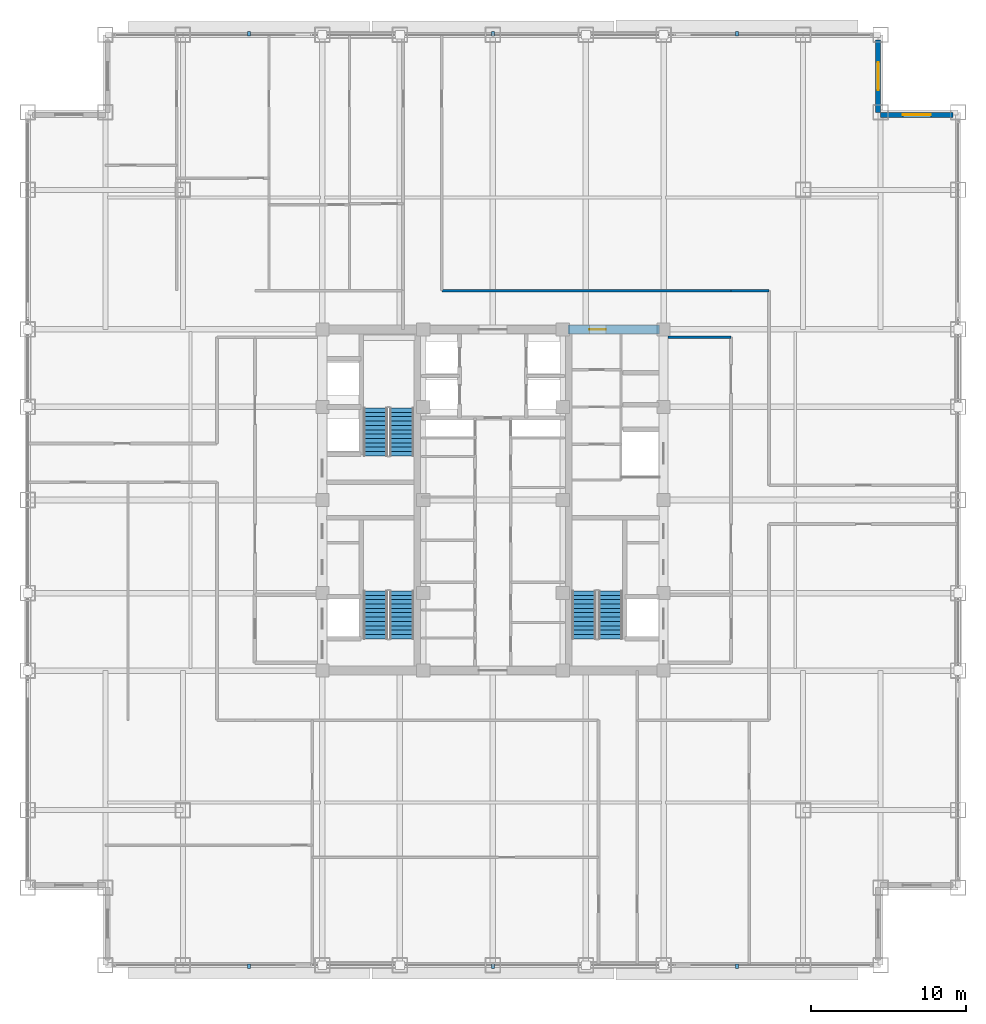
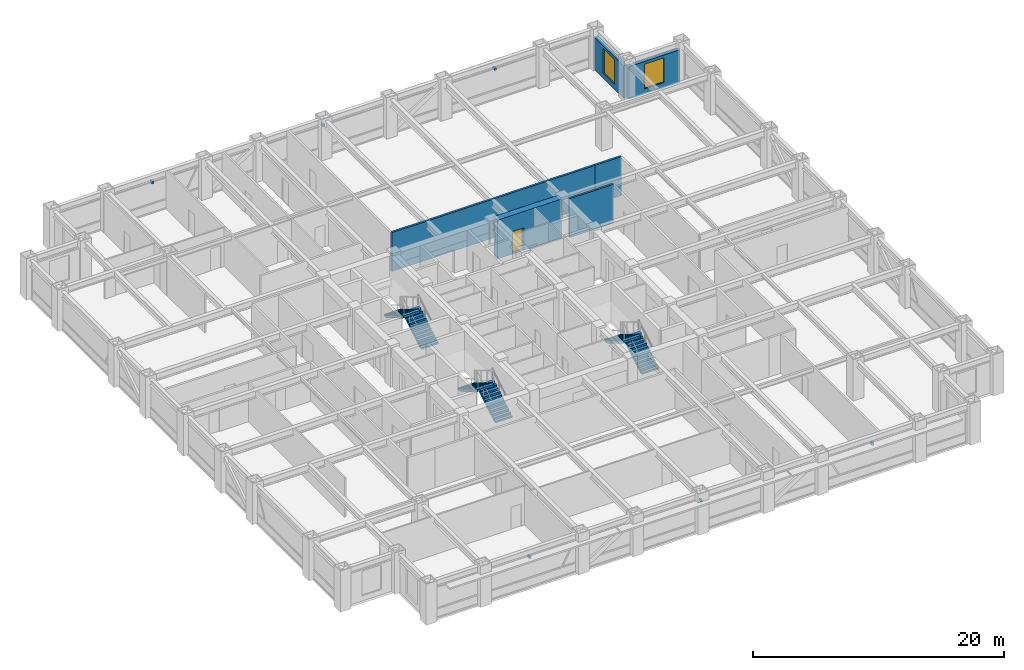
# One storey, part 24 of 29: 6 discrete accessories, 6 stair flights, 6 walls, 2 windows, 1 door, 3 openings, 3 elements without a shape of their own.
"""IFC4 building model written with IfcOpenShell, lengths in metres."""

from ifc_helpers import new_model, si_unit, direction, frame, frame_2d, origin, origin_2d, place, context, subcontext, project, spatial, polyline, rectangle, outline, extrude, source, transform, mapped, material, layer, layer_set, type_object, element, fill, aggregate, save


model = new_model("IFC4")

# Units and contexts
model_context = context("Model", 3, precision=1e-05, world=origin(), true_north=direction((0.0, 1.0)))
body_context = subcontext(model_context, "Body", "Model", "MODEL_VIEW")
ifc_project = project(units=[si_unit("LENGTHUNIT", "METRE"), si_unit("AREAUNIT", "SQUARE_METRE"), si_unit("VOLUMEUNIT", "CUBIC_METRE"), si_unit("PLANEANGLEUNIT", "RADIAN"), si_unit("MASSUNIT", "GRAM", prefix="KILO")], contexts=[model_context])

# Site, building, storey
site_placement = place(None, origin())
site = spatial("IfcSite", under=ifc_project, at=site_placement, CompositionType="ELEMENT")
building_placement = place(site_placement, origin())
building = spatial("IfcBuilding", under=site, at=building_placement, Name="Khorayat Bourse Tower", CompositionType="ELEMENT")
storey_placement = place(building_placement, frame((0.0, 0.0, 239.10009765625)))
storey = spatial("IfcBuildingStorey", under=building, at=storey_placement, Name="L56", CompositionType="ELEMENT", Elevation=239.10009765625)

# Wall, opening, door
ifc_material_1 = material(Name="Concrete C60/75", Category="concrete")
ifc_layer_1 = layer(ifc_material_1, 0.60009765625)
ifc_layer_set_1 = layer_set([ifc_layer_1], Name="Concrete C60/75")
wall_type_1 = type_object("IfcWallType", Name="WAL-CORE-600", PredefinedType="SHEAR", material=ifc_layer_set_1)
shared_shape_1 = source(origin(), body_context, "Body", "SweptSolid", [
    extrude(rectangle(XDim=5.89990234375, YDim=0.60009765625, at=frame_2d((2.949951171875, 0.0))), origin(), (0.0, 0.0, 1.0), 3.77978515625),
])
wall_1_placement = place(storey_placement, frame((4.85009765625, 11.0, 0.0), z_axis=(0.0, 0.0, 1.0), x_axis=(1.0, 0.0, 0.0)))
wall_1 = element("IfcWall", 1, at=wall_1_placement, inside=storey, type_object=wall_type_1, Name="L56 Core Shear Wall PIER-EN", PredefinedType="SHEAR", context=body_context, shape_type="MappedRepresentation", body=[
    mapped(shared_shape_1, transform((0.0, 0.0, 0.0), scale=1.0)),
])
shared_shape_2 = source(origin(), body_context, "Body", "SweptSolid", [
    extrude(rectangle(XDim=1.050048828125, YDim=2.199951171875, at=frame_2d((0.52490234375, 1.10009765625))), frame((0.0, 0.31005859375, 0.0), z_axis=(0.0, -1.0, 0.0), x_axis=(1.0, 0.0, 0.0)), (0.0, 0.0, 1.0), 0.6201171875),
])
opening_1_placement = place(wall_1_placement, frame((1.375, 0.0, 0.0)))
opening_1 = element("IfcOpeningElement", 2, at=opening_1_placement, cuts=wall_1, Name="Opening DI-04", PredefinedType="OPENING", context=body_context, shape_type="MappedRepresentation", body=[
    mapped(shared_shape_2, transform((0.0, 0.0, 0.0), scale=1.0)),
])
ifc_material_2 = material(Name="Fire-rated oak veneer suite entrance door")
door_type = type_object("IfcDoorType", Name="DR-INT-SUITE-1050", OperationType="NOTDEFINED", PredefinedType="DOOR", material=ifc_material_2)
shared_shape_3 = source(origin(), body_context, "Body", "SweptSolid", [
    extrude(rectangle(XDim=1.050048828125, YDim=2.199951171875, at=frame_2d((0.52490234375, 1.10009765625))), frame((0.0, 0.02490234375, 0.0), z_axis=(0.0, -1.0, 0.0), x_axis=(1.0, 0.0, 0.0)), (0.0, 0.0, 1.0), 0.050048828125),
])
door_placement = place(opening_1_placement, origin())
door = element("IfcDoor", 3, at=door_placement, inside=storey, type_object=door_type, Name="L56 Core Washroom Lobby Door", OperationType="SINGLE_SWING_LEFT", OverallHeight=2.199951171875, OverallWidth=1.050048828125, PredefinedType="DOOR", context=body_context, shape_type="MappedRepresentation", body=[
    mapped(shared_shape_3, transform((0.0, 0.0, 0.0), scale=1.0)),
])
fill(opening_1, door)

# Wall, opening, window
ifc_material_3 = material(Name="Precast concrete C45/55", Category="concrete")
ifc_layer_2 = layer(ifc_material_3, 0.320068359375)
ifc_layer_set_2 = layer_set([ifc_layer_2], Name="Precast concrete C45/55")
wall_type_2 = type_object("IfcWallType", Name="WAL-EXT-STONE-320", PredefinedType="STANDARD", material=ifc_layer_set_2)
shared_shape_4 = source(origin(), body_context, "Body", "SweptSolid", [
    extrude(rectangle(XDim=4.679931640625, YDim=0.320068359375, at=frame_2d((2.33984375, 0.0))), origin(), (0.0, 0.0, 1.0), 3.163818359375),
])
wall_2_placement = place(storey_placement, frame((25.0, 24.840087890625, 0.0), z_axis=(0.0, 0.0, 1.0), x_axis=(1.0, 0.0, 0.0)))
wall_2 = element("IfcWall", 4, at=wall_2_placement, inside=storey, type_object=wall_type_2, Name="L56 Re-Entrant Notch Limestone Wall NE-H", PredefinedType="STANDARD", context=body_context, shape_type="MappedRepresentation", body=[
    mapped(shared_shape_4, transform((0.0, 0.0, 0.0), scale=1.0)),
])
shared_shape_5 = source(origin(), body_context, "Body", "SweptSolid", [
    extrude(rectangle(XDim=1.800048828125, YDim=2.39990234375, at=frame_2d((0.89990234375, 1.199951171875))), frame((0.0, 0.169921875, 0.0), z_axis=(0.0, -1.0, 0.0), x_axis=(1.0, 0.0, 0.0)), (0.0, 0.0, 1.0), 0.340087890625),
])
opening_2_placement = place(wall_2_placement, frame((1.43994140625, 0.0, 0.5)))
opening_2 = element("IfcOpeningElement", 5, at=opening_2_placement, cuts=wall_2, Name="Opening WN-04", PredefinedType="OPENING", context=body_context, shape_type="MappedRepresentation", body=[
    mapped(shared_shape_5, transform((0.0, 0.0, 0.0), scale=1.0)),
])
ifc_material_4 = material(Name="Low-E acoustic laminated double glazing", Category="glass")
window_type = type_object("IfcWindowType", Name="WIN-NOTCH-1800x2400", PartitioningType="SINGLE_PANEL", PredefinedType="WINDOW", material=ifc_material_4)
shared_shape_6 = source(origin(), body_context, "Body", "SweptSolid", [
    extrude(rectangle(XDim=1.800048828125, YDim=2.39990234375, at=frame_2d((0.89990234375, 1.199951171875))), frame((0.0, 0.030029296875, 0.0), z_axis=(0.0, -1.0, 0.0), x_axis=(1.0, 0.0, 0.0)), (0.0, 0.0, 1.0), 0.06005859375),
])
window_1_placement = place(opening_2_placement, origin())
window_1 = element("IfcWindow", 6, at=window_1_placement, inside=storey, type_object=window_type, Name="L56 Facade Window 1", OverallHeight=2.39990234375, OverallWidth=1.800048828125, PartitioningType="SINGLE_PANEL", PredefinedType="WINDOW", context=body_context, shape_type="MappedRepresentation", body=[
    mapped(shared_shape_6, transform((0.0, 0.0, 0.0), scale=1.0)),
])
fill(opening_2, window_1)

wall_3_placement = place(storey_placement, frame((24.840087890625, 25.0, 0.0), z_axis=(0.0, 0.0, 1.0), x_axis=(0.0, 1.0, 0.0)))
wall_3 = element("IfcWall", 7, at=wall_3_placement, inside=storey, type_object=wall_type_2, Name="L56 Re-Entrant Notch Limestone Wall NE-V", PredefinedType="STANDARD", context=body_context, shape_type="MappedRepresentation", body=[
    mapped(shared_shape_4, transform((0.0, 0.0, 0.0), scale=1.0)),
])
opening_3_placement = place(wall_3_placement, frame((1.43994140625, 0.0, 0.5)))
opening_3 = element("IfcOpeningElement", 8, at=opening_3_placement, cuts=wall_3, Name="Opening WN-04", PredefinedType="OPENING", context=body_context, shape_type="MappedRepresentation", body=[
    mapped(shared_shape_5, transform((0.0, 0.0, 0.0), scale=1.0)),
])
window_2_placement = place(opening_3_placement, origin())
window_2 = element("IfcWindow", 9, at=window_2_placement, inside=storey, type_object=window_type, Name="L56 Facade Window 1", OverallHeight=2.39990234375, OverallWidth=1.800048828125, PartitioningType="SINGLE_PANEL", PredefinedType="WINDOW", context=body_context, shape_type="MappedRepresentation", body=[
    mapped(shared_shape_6, transform((0.0, 0.0, 0.0), scale=1.0)),
])
fill(opening_3, window_2)

# Walls
ifc_material_5 = material(Name="Gypsum plasterboard acoustic stud wall")
ifc_layer_3 = layer(ifc_material_5, 0.179931640625)
ifc_layer_set_3 = layer_set([ifc_layer_3], Name="Gypsum plasterboard acoustic stud wall")
wall_type_3 = type_object("IfcWallType", Name="WAL-PART-CORR-180", PredefinedType="PARTITIONING", material=ifc_layer_set_3)
shared_shape_7 = source(origin(), body_context, "Body", "SweptSolid", [
    extrude(rectangle(XDim=4.050048828125, YDim=0.179931640625, at=frame_2d((2.02490234375, 0.0))), origin(), (0.0, 0.0, 1.0), 3.77978515625),
])
wall_4_placement = place(storey_placement, frame((11.300048828125, 10.5, 0.0), z_axis=(0.0, 0.0, 1.0), x_axis=(1.0, 0.0, 0.0)))
element("IfcWall", 10, at=wall_4_placement, inside=storey, type_object=wall_type_3, Name="L56 Partition WAL-L56-ELOB-N", PredefinedType="PARTITIONING", context=body_context, shape_type="MappedRepresentation", body=[
    mapped(shared_shape_7, transform((0.0, 0.0, 0.0), scale=1.0)),
])
shared_shape_8 = source(origin(), body_context, "Body", "SweptSolid", [
    extrude(rectangle(XDim=2.449951171875, YDim=0.179931640625, at=frame_2d((1.22509765625, 0.0))), origin(), (0.0, 0.0, 1.0), 3.77978515625),
])
wall_5_placement = place(storey_placement, frame((15.35009765625, 13.5, 0.0), z_axis=(0.0, 0.0, 1.0), x_axis=(1.0, 0.0, 0.0)))
element("IfcWall", 11, at=wall_5_placement, inside=storey, type_object=wall_type_3, Name="L56 Partition WAL-L56-C2-EN", PredefinedType="PARTITIONING", context=body_context, shape_type="MappedRepresentation", body=[
    mapped(shared_shape_8, transform((0.0, 0.0, 0.0), scale=1.0)),
])
shared_shape_9 = source(origin(), body_context, "Body", "SweptSolid", [
    extrude(rectangle(XDim=18.650146484375, YDim=0.179931640625, at=frame_2d((9.3251953125, 0.0))), origin(), (0.0, 0.0, 1.0), 3.77978515625),
])
wall_6_placement = place(storey_placement, frame((-3.300048828125, 13.5, 0.0), z_axis=(0.0, 0.0, 1.0), x_axis=(1.0, 0.0, 0.0)))
element("IfcWall", 12, at=wall_6_placement, inside=storey, type_object=wall_type_3, Name="L56 Partition WAL-L56-QNE-HC", PredefinedType="PARTITIONING", context=body_context, shape_type="MappedRepresentation", body=[
    mapped(shared_shape_9, transform((0.0, 0.0, 0.0), scale=1.0)),
])

# Stair, stair flights
ifc_material_6 = material(Name="Concrete C40/50", Category="concrete")
stair_type = type_object("IfcStairType", Name="STR-CORE-1550", PredefinedType="HALF_TURN_STAIR", material=ifc_material_6)
stair_1_placement = place(storey_placement, origin())
stair_1 = element("IfcStair", 13, at=stair_1_placement, inside=storey, type_object=stair_type, Name="L56 Exit Stair ST-1", PredefinedType="HALF_TURN_STAIR")
stair_flight_type = type_object("IfcStairFlightType", Name="FLT-CORE-1550", PredefinedType="STRAIGHT", material=ifc_material_6)
shared_shape_10 = source(origin(), body_context, "Body", "SweptSolid", [
    extrude(outline(polyline([(0.0, 0.0), (0.0, 0.166748046875), (0.280029296875, 0.166748046875), (0.280029296875, 0.333251953125), (0.56005859375, 0.333251953125), (0.56005859375, 0.5), (0.840087890625, 0.5), (0.840087890625, 0.666748046875), (1.1201171875, 0.666748046875), (1.1201171875, 0.833251953125), (1.39990234375, 0.833251953125), (1.39990234375, 1.0), (1.679931640625, 1.0), (1.679931640625, 1.166748046875), (1.9599609375, 1.166748046875), (1.9599609375, 1.333251953125), (2.239990234375, 1.333251953125), (2.239990234375, 1.5), (2.52001953125, 1.5), (2.52001953125, 1.666748046875), (2.800048828125, 1.666748046875), (2.800048828125, 1.833251953125), (3.080078125, 1.833251953125), (3.080078125, 2.0), (3.080078125, 1.6240234375), (0.351806640625, 0.0), (0.0, 0.0)])), frame((0.0, 0.77490234375, 0.0), z_axis=(0.0, -1.0, 0.0), x_axis=(1.0, 0.0, 0.0)), (0.0, 0.0, 1.0), 1.550048828125),
])
stair_flight_1_placement = place(storey_placement, frame((-5.875, -8.949951171875, 0.0), z_axis=(0.0, 0.0, 1.0), x_axis=(0.0, 1.0, 0.0)))
stair_flight_1 = element("IfcStairFlight", 14, at=stair_flight_1_placement, type_object=stair_flight_type, Name="ST-1 flight 1", NumberOfRisers=12, NumberOfTreads=11, PredefinedType="STRAIGHT", RiserHeight=0.166666667, TreadLength=0.28, context=body_context, shape_type="MappedRepresentation", body=[
    mapped(shared_shape_10, transform((0.0, 0.0, 0.0), scale=1.0)),
])
stair_flight_2_placement = place(storey_placement, frame((-7.574951171875, -5.8701171875, 2.0), z_axis=(0.0, 0.0, 1.0), x_axis=(0.0, -1.0, 0.0)))
stair_flight_2 = element("IfcStairFlight", 15, at=stair_flight_2_placement, type_object=stair_flight_type, Name="ST-1 flight 2", NumberOfRisers=12, NumberOfTreads=11, PredefinedType="STRAIGHT", RiserHeight=0.166666667, TreadLength=0.28, context=body_context, shape_type="MappedRepresentation", body=[
    mapped(shared_shape_10, transform((0.0, 0.0, 0.0), scale=1.0)),
])
aggregate(stair_1, [stair_flight_1, stair_flight_2])

stair_2_placement = place(storey_placement, origin())
stair_2 = element("IfcStair", 16, at=stair_2_placement, inside=storey, type_object=stair_type, Name="L56 Exit Stair ST-2", PredefinedType="HALF_TURN_STAIR")
stair_flight_3_placement = place(storey_placement, frame((-5.875, 2.85009765625, 0.0), z_axis=(0.0, 0.0, 1.0), x_axis=(0.0, 1.0, 0.0)))
stair_flight_3 = element("IfcStairFlight", 17, at=stair_flight_3_placement, type_object=stair_flight_type, Name="ST-2 flight 1", NumberOfRisers=12, NumberOfTreads=11, PredefinedType="STRAIGHT", RiserHeight=0.166666667, TreadLength=0.28, context=body_context, shape_type="MappedRepresentation", body=[
    mapped(shared_shape_10, transform((0.0, 0.0, 0.0), scale=1.0)),
])
stair_flight_4_placement = place(storey_placement, frame((-7.574951171875, 5.929931640625, 2.0), z_axis=(0.0, 0.0, 1.0), x_axis=(0.0, -1.0, 0.0)))
stair_flight_4 = element("IfcStairFlight", 18, at=stair_flight_4_placement, type_object=stair_flight_type, Name="ST-2 flight 2", NumberOfRisers=12, NumberOfTreads=11, PredefinedType="STRAIGHT", RiserHeight=0.166666667, TreadLength=0.28, context=body_context, shape_type="MappedRepresentation", body=[
    mapped(shared_shape_10, transform((0.0, 0.0, 0.0), scale=1.0)),
])
aggregate(stair_2, [stair_flight_3, stair_flight_4])

stair_3_placement = place(storey_placement, origin())
stair_3 = element("IfcStair", 19, at=stair_3_placement, inside=storey, type_object=stair_type, Name="L56 Exit Stair ST-3", PredefinedType="HALF_TURN_STAIR")
stair_flight_5_placement = place(storey_placement, frame((7.574951171875, -8.949951171875, 0.0), z_axis=(0.0, 0.0, 1.0), x_axis=(0.0, 1.0, 0.0)))
stair_flight_5 = element("IfcStairFlight", 20, at=stair_flight_5_placement, type_object=stair_flight_type, Name="ST-3 flight 1", NumberOfRisers=12, NumberOfTreads=11, PredefinedType="STRAIGHT", RiserHeight=0.166666667, TreadLength=0.28, context=body_context, shape_type="MappedRepresentation", body=[
    mapped(shared_shape_10, transform((0.0, 0.0, 0.0), scale=1.0)),
])
stair_flight_6_placement = place(storey_placement, frame((5.875, -5.8701171875, 2.0), z_axis=(0.0, 0.0, 1.0), x_axis=(0.0, -1.0, 0.0)))
stair_flight_6 = element("IfcStairFlight", 21, at=stair_flight_6_placement, type_object=stair_flight_type, Name="ST-3 flight 2", NumberOfRisers=12, NumberOfTreads=11, PredefinedType="STRAIGHT", RiserHeight=0.166666667, TreadLength=0.28, context=body_context, shape_type="MappedRepresentation", body=[
    mapped(shared_shape_10, transform((0.0, 0.0, 0.0), scale=1.0)),
])
aggregate(stair_3, [stair_flight_5, stair_flight_6])

# Discrete accessories
ifc_material_7 = material(Name="Steel EN 10025-2 S355J2", Category="steel")
discrete_accessory_type = type_object("IfcDiscreteAccessoryType", Name="ACC-SHADE-BRACKET", PredefinedType="BRACKET", material=ifc_material_7)
shared_shape_11 = source(origin(), body_context, "Body", "SweptSolid", [
    extrude(rectangle(XDim=0.179931640625, YDim=0.300048828125, at=origin_2d()), origin(), (0.0, 0.0, 1.0), 0.239990234375),
])
for number, where, z_axis, x_axis, name in (
    (22, (-15.7333984375, -30.06005859375, 2.8798828125), (0.0, 0.0, 1.0), (1.0, 0.0, 0.0), "L56 Sunshade Support Bracket S-1"),
    (23, (0.0, -30.06005859375, 2.8798828125), (0.0, 0.0, 1.0), (1.0, 0.0, 0.0), "L56 Sunshade Support Bracket S-2"),
    (24, (15.7333984375, -30.06005859375, 2.8798828125), (0.0, 0.0, 1.0), (1.0, 0.0, 0.0), "L56 Sunshade Support Bracket S-3"),
    (25, (-15.7333984375, 30.06005859375, 2.8798828125), (0.0, 0.0, 1.0), (1.0, 0.0, 0.0), "L56 Sunshade Support Bracket N-1"),
    (26, (0.0, 30.06005859375, 2.8798828125), (0.0, 0.0, 1.0), (1.0, 0.0, 0.0), "L56 Sunshade Support Bracket N-2"),
    (27, (15.7333984375, 30.06005859375, 2.8798828125), (0.0, 0.0, 1.0), (1.0, 0.0, 0.0), "L56 Sunshade Support Bracket N-3"),
):
    element("IfcDiscreteAccessory", number, at=place(storey_placement, frame(where, z_axis=z_axis, x_axis=x_axis)), inside=storey, type_object=discrete_accessory_type, Name=name, PredefinedType="BRACKET", context=body_context, shape_type="MappedRepresentation", body=[
        mapped(shared_shape_11, transform((0.0, 0.0, 0.0), scale=1.0)),
    ])

save(model, "model.ifc")
